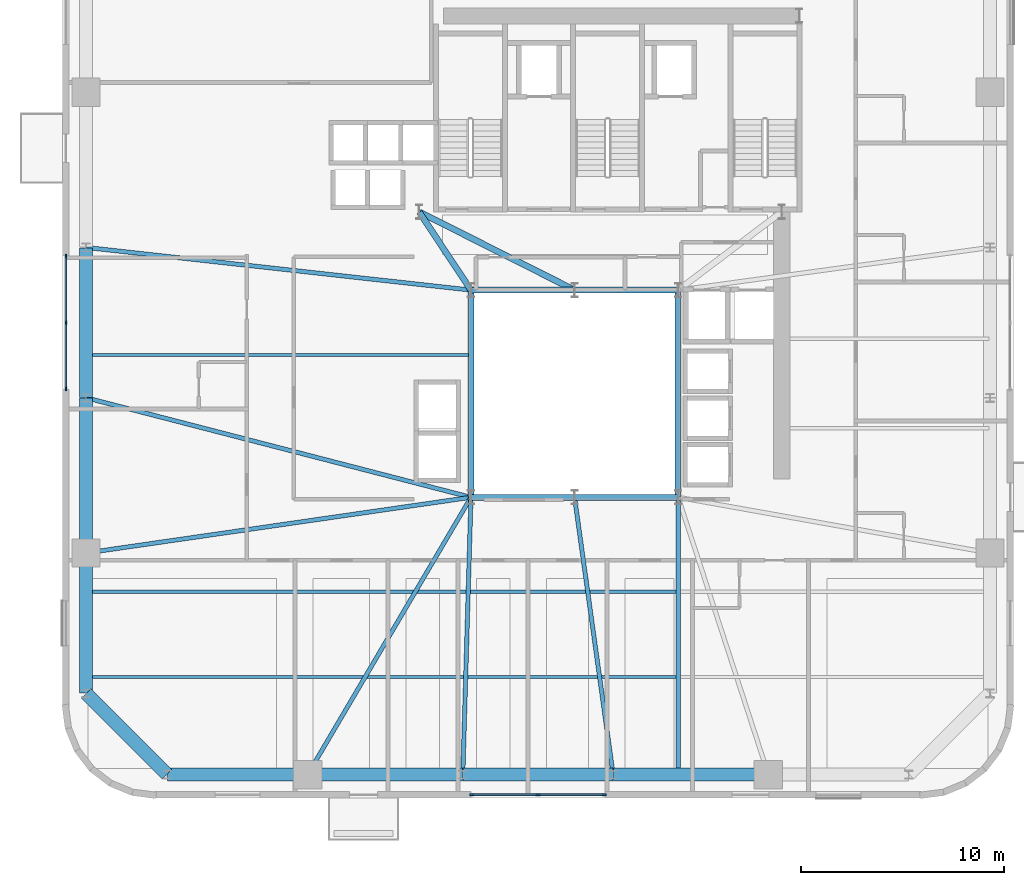
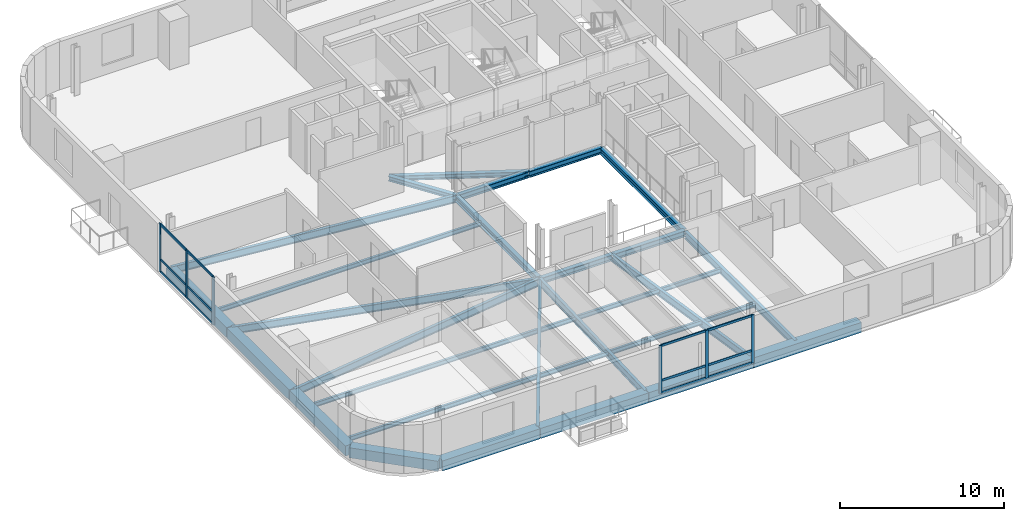
# One storey, part 3 of 14: 26 beams, 18 members, 2 elements without a shape of their own.
"""IFC4 building model written with IfcOpenShell, lengths in metres."""

from ifc_helpers import new_model, si_unit, direction, frame, origin, origin_2d, place, context, subcontext, project, spatial, rectangle, i_section, extrude, source, transform, mapped, material, material_profile, profile_set, type_object, element, aggregate, save


model = new_model("IFC4")

# Units and contexts
model_context = context("Model", 3, precision=1e-05, world=origin(), true_north=direction((0.0, 1.0)))
body_context = subcontext(model_context, "Body", "Model", "MODEL_VIEW")
ifc_project = project(units=[si_unit("LENGTHUNIT", "METRE"), si_unit("AREAUNIT", "SQUARE_METRE"), si_unit("VOLUMEUNIT", "CUBIC_METRE"), si_unit("PLANEANGLEUNIT", "RADIAN"), si_unit("MASSUNIT", "GRAM", prefix="KILO")], contexts=[model_context])

# Site, building, storey
site_placement = place(None, origin())
site = spatial("IfcSite", under=ifc_project, at=site_placement, CompositionType="ELEMENT")
building_placement = place(site_placement, origin())
building = spatial("IfcBuilding", under=site, at=building_placement, Name="Vardaveli Station Tower", CompositionType="ELEMENT")
storey_placement = place(building_placement, frame((0.0, 0.0, 177.199951171875)))
storey = spatial("IfcBuildingStorey", under=building, at=storey_placement, Name="L45", CompositionType="ELEMENT", Elevation=177.199951171875)

# Beams
ifc_material_1 = material(Name="Structural steel S355J2", Category="steel")
ifc_material_profile_1 = material_profile(ifc_material_1, i_section(OverallWidth=0.300048828125, OverallDepth=0.449951171875, WebThickness=0.013916015625, FlangeThickness=0.02587890625, FilletRadius=0.027099609375, at=origin_2d()), Name="HEB 450")
ifc_profile_set_1 = profile_set([ifc_material_profile_1], Name="Structural steel S355J2")
beam_type_1 = type_object("IfcBeamType", Name="BM-HEB450", PredefinedType="BEAM", material=ifc_profile_set_1)
shared_shape_1 = source(origin(), body_context, "Body", "SweptSolid", [
    extrude(i_section(OverallWidth=0.300048828125, OverallDepth=0.449951171875, WebThickness=0.013916015625, FlangeThickness=0.02587890625, FilletRadius=0.027099609375, at=origin_2d()), origin(), (0.0, 0.0, 1.0), 5.06005859375),
])
for number, where, z_axis, x_axis, name in (
    (1, (31.219970703125, 16.60009765625, -0.445068359375), (1.0, 0.0, 0.0), (0.0, 1.0, 0.0), "ABM-L45-01"),
    (2, (36.280029296875, 26.800048828125, -0.445068359375), (-1.0, 0.0, 0.0), (0.0, -1.0, 0.0), "ABM-L45-05"),
):
    element("IfcBeam", number, at=place(storey_placement, frame(where, z_axis=z_axis, x_axis=x_axis)), inside=storey, type_object=beam_type_1, Name=name, PredefinedType="BEAM", context=body_context, shape_type="MappedRepresentation", body=[
        mapped(shared_shape_1, transform((0.0, 0.0, 0.0), scale=1.0)),
    ])
shared_shape_2 = source(origin(), body_context, "Body", "SweptSolid", [
    extrude(i_section(OverallWidth=0.300048828125, OverallDepth=0.449951171875, WebThickness=0.013916015625, FlangeThickness=0.02587890625, FilletRadius=0.027099609375, at=origin_2d()), origin(), (0.0, 0.0, 1.0), 5.059814453125),
])
for number, where, z_axis, x_axis, name in (
    (3, (36.320068359375, 16.60009765625, -0.445068359375), (1.0, 0.0, 0.0), (0.0, 1.0, 0.0), "ABM-L45-02"),
    (4, (41.3798828125, 26.800048828125, -0.445068359375), (-1.0, 0.0, 0.0), (0.0, -1.0, 0.0), "ABM-L45-04"),
):
    element("IfcBeam", number, at=place(storey_placement, frame(where, z_axis=z_axis, x_axis=x_axis)), inside=storey, type_object=beam_type_1, Name=name, PredefinedType="BEAM", context=body_context, shape_type="MappedRepresentation", body=[
        mapped(shared_shape_2, transform((0.0, 0.0, 0.0), scale=1.0)),
    ])
shared_shape_3 = source(origin(), body_context, "Body", "SweptSolid", [
    extrude(i_section(OverallWidth=0.300048828125, OverallDepth=0.449951171875, WebThickness=0.013916015625, FlangeThickness=0.02587890625, FilletRadius=0.027099609375, at=origin_2d()), origin(), (0.0, 0.0, 1.0), 10.159912109375),
])
for number, where, z_axis, x_axis, name in (
    (5, (41.39990234375, 16.6201171875, -0.445068359375), (0.0, 1.0, 0.0), (-1.0, 0.0, 0.0), "ABM-L45-03"),
    (6, (31.199951171875, 26.780029296875, -0.445068359375), (0.0, -1.0, 0.0), (1.0, 0.0, 0.0), "ABM-L45-06"),
):
    element("IfcBeam", number, at=place(storey_placement, frame(where, z_axis=z_axis, x_axis=x_axis)), inside=storey, type_object=beam_type_1, Name=name, PredefinedType="BEAM", context=body_context, shape_type="MappedRepresentation", body=[
        mapped(shared_shape_3, transform((0.0, 0.0, 0.0), scale=1.0)),
    ])
ifc_material_profile_2 = material_profile(ifc_material_1, i_section(OverallWidth=0.300048828125, OverallDepth=0.360107421875, WebThickness=0.012451171875, FlangeThickness=0.0224609375, FilletRadius=0.027099609375, at=origin_2d()), Name="HEB 360")
ifc_profile_set_2 = profile_set([ifc_material_profile_2], Name="Structural steel S355J2")
beam_type_2 = type_object("IfcBeamType", Name="BM-HEB360", PredefinedType="BEAM", material=ifc_profile_set_2)
shared_shape_4 = source(origin(), body_context, "Body", "SweptSolid", [
    extrude(i_section(OverallWidth=0.300048828125, OverallDepth=0.360107421875, WebThickness=0.012451171875, FlangeThickness=0.0224609375, FilletRadius=0.027099609375, at=origin_2d()), origin(), (0.0, 0.0, 1.0), 4.577880859375),
])
beam_1_placement = place(storey_placement, frame((31.18896484375, 26.816650390625, -0.39990234375), z_axis=(-0.55218702139, 0.833720272879, 0.0), x_axis=(-0.833720272879, -0.55218702139, 0.0)))
element("IfcBeam", 7, at=beam_1_placement, inside=storey, type_object=beam_type_2, Name="CBM-L45-01", PredefinedType="BEAM", context=body_context, shape_type="MappedRepresentation", body=[
    mapped(shared_shape_4, transform((0.0, 0.0, 0.0), scale=1.0)),
])
shared_shape_5 = source(origin(), body_context, "Body", "SweptSolid", [
    extrude(i_section(OverallWidth=0.300048828125, OverallDepth=0.360107421875, WebThickness=0.012451171875, FlangeThickness=0.0224609375, FilletRadius=0.027099609375, at=origin_2d()), origin(), (0.0, 0.0, 1.0), 8.524169921875),
])
beam_2_placement = place(storey_placement, frame((28.66796875, 30.64111328125, -0.39990234375), z_axis=(0.893255584708, -0.449549174605, 0.0), x_axis=(0.449549174605, 0.893255584708, 0.0)))
element("IfcBeam", 8, at=beam_2_placement, inside=storey, type_object=beam_type_2, Name="CBM-L45-03", PredefinedType="BEAM", context=body_context, shape_type="MappedRepresentation", body=[
    mapped(shared_shape_5, transform((0.0, 0.0, 0.0), scale=1.0)),
])
ifc_material_2 = material(Name="Precast concrete C45/55", Category="concrete")
ifc_material_profile_3 = material_profile(ifc_material_2, rectangle(XDim=0.64990234375, YDim=0.75, at=origin_2d()), Name="LPB 650x750")
ifc_profile_set_3 = profile_set([ifc_material_profile_3], Name="Precast concrete C45/55")
beam_type_3 = type_object("IfcBeamType", Name="BM-LPB-750", PredefinedType="BEAM", material=ifc_profile_set_3)
shared_shape_6 = source(origin(), body_context, "Body", "SweptSolid", [
    extrude(rectangle(XDim=0.64990234375, YDim=0.75, at=origin_2d()), origin(), (0.0, 0.0, 1.0), 7.60009765625),
])
for number, where, z_axis, x_axis, name in (
    (9, (23.179931640625, 2.949951171875, -0.594970703125), (1.0, 0.0, 0.0), (0.0, 1.0, 0.0), "RBM-L45-01"),
    (10, (38.219970703125, 2.949951171875, -0.594970703125), (1.0, 0.0, 0.0), (0.0, 1.0, 0.0), "RBM-L45-03"),
    (11, (12.25, 21.47998046875, -0.594970703125), (0.0, -1.0, 0.0), (1.0, 0.0, 0.0), "RBM-L45-21"),
):
    element("IfcBeam", number, at=place(storey_placement, frame(where, z_axis=z_axis, x_axis=x_axis)), inside=storey, type_object=beam_type_3, Name=name, PredefinedType="BEAM", context=body_context, shape_type="MappedRepresentation", body=[
        mapped(shared_shape_6, transform((0.0, 0.0, 0.0), scale=1.0)),
    ])
shared_shape_7 = source(origin(), body_context, "Body", "SweptSolid", [
    extrude(rectangle(XDim=0.64990234375, YDim=0.75, at=origin_2d()), origin(), (0.0, 0.0, 1.0), 7.35986328125),
])
for number, where, z_axis, x_axis, name in (
    (12, (30.820068359375, 2.949951171875, -0.594970703125), (1.0, 0.0, 0.0), (0.0, 1.0, 0.0), "RBM-L45-02"),
    (13, (12.25, 28.8798828125, -0.594970703125), (0.0, -1.0, 0.0), (1.0, 0.0, 0.0), "RBM-L45-20"),
):
    element("IfcBeam", number, at=place(storey_placement, frame(where, z_axis=z_axis, x_axis=x_axis)), inside=storey, type_object=beam_type_3, Name=name, PredefinedType="BEAM", context=body_context, shape_type="MappedRepresentation", body=[
        mapped(shared_shape_7, transform((0.0, 0.0, 0.0), scale=1.0)),
    ])
shared_shape_8 = source(origin(), body_context, "Body", "SweptSolid", [
    extrude(rectangle(XDim=0.64990234375, YDim=0.75, at=origin_2d()), origin(), (0.0, 0.0, 1.0), 6.869873046875),
])
beam_3_placement = place(storey_placement, frame((16.27001953125, 2.949951171875, -0.594970703125), z_axis=(1.0, 0.0, 0.0), x_axis=(0.0, 1.0, 0.0)))
element("IfcBeam", 14, at=beam_3_placement, inside=storey, type_object=beam_type_3, Name="RBM-L45-24", PredefinedType="BEAM", context=body_context, shape_type="MappedRepresentation", body=[
    mapped(shared_shape_8, transform((0.0, 0.0, 0.0), scale=1.0)),
])
shared_shape_9 = source(origin(), body_context, "Body", "SweptSolid", [
    extrude(rectangle(XDim=0.64990234375, YDim=0.75, at=origin_2d()), origin(), (0.0, 0.0, 1.0), 5.61669921875),
])
beam_4_placement = place(storey_placement, frame((12.26416015625, 6.935791015625, -0.594970703125), z_axis=(0.707106781187, -0.707106781187, 0.0), x_axis=(0.707106781187, 0.707106781187, 0.0)))
element("IfcBeam", 15, at=beam_4_placement, inside=storey, type_object=beam_type_3, Name="RBM-L45-23", PredefinedType="BEAM", context=body_context, shape_type="MappedRepresentation", body=[
    mapped(shared_shape_9, transform((0.0, 0.0, 0.0), scale=1.0)),
])
shared_shape_10 = source(origin(), body_context, "Body", "SweptSolid", [
    extrude(rectangle(XDim=0.64990234375, YDim=0.75, at=origin_2d()), origin(), (0.0, 0.0, 1.0), 6.8701171875),
])
beam_5_placement = place(storey_placement, frame((12.25, 13.840087890625, -0.594970703125), z_axis=(0.0, -1.0, 0.0), x_axis=(1.0, 0.0, 0.0)))
element("IfcBeam", 16, at=beam_5_placement, inside=storey, type_object=beam_type_3, Name="RBM-L45-22", PredefinedType="BEAM", context=body_context, shape_type="MappedRepresentation", body=[
    mapped(shared_shape_10, transform((0.0, 0.0, 0.0), scale=1.0)),
])
ifc_material_profile_4 = material_profile(ifc_material_1, i_section(OverallWidth=0.2099609375, OverallDepth=0.550048828125, WebThickness=0.010986328125, FlangeThickness=0.01708984375, FilletRadius=0.02392578125, at=origin_2d()), Name="IPE 550")
ifc_profile_set_4 = profile_set([ifc_material_profile_4], Name="Structural steel S355J2")
beam_type_4 = type_object("IfcBeamType", Name="BM-IPE550", PredefinedType="BEAM", material=ifc_profile_set_4)
shared_shape_11 = source(origin(), body_context, "Body", "SweptSolid", [
    extrude(i_section(OverallWidth=0.2099609375, OverallDepth=0.550048828125, WebThickness=0.010986328125, FlangeThickness=0.01708984375, FilletRadius=0.02392578125, at=origin_2d()), origin(), (0.0, 0.0, 1.0), 13.469970703125),
])
beam_6_placement = place(storey_placement, frame((41.39990234375, 2.989990234375, -0.494873046875), z_axis=(0.0, 1.0, 0.0), x_axis=(-1.0, 0.0, 0.0)))
element("IfcBeam", 17, at=beam_6_placement, inside=storey, type_object=beam_type_4, Name="NSM-L45-S2", PredefinedType="BEAM", context=body_context, shape_type="MappedRepresentation", body=[
    mapped(shared_shape_11, transform((0.0, 0.0, 0.0), scale=1.0)),
])
ifc_material_profile_5 = material_profile(ifc_material_1, i_section(OverallWidth=0.159912109375, OverallDepth=0.330078125, WebThickness=0.007568359375, FlangeThickness=0.011474609375, FilletRadius=0.01806640625, at=origin_2d()), Name="IPE 330")
ifc_profile_set_5 = profile_set([ifc_material_profile_5], Name="Structural steel S355J2")
beam_type_5 = type_object("IfcBeamType", Name="BM-IPE330", PredefinedType="JOIST", material=ifc_profile_set_5)
shared_shape_12 = source(origin(), body_context, "Body", "SweptSolid", [
    extrude(i_section(OverallWidth=0.159912109375, OverallDepth=0.330078125, WebThickness=0.007568359375, FlangeThickness=0.011474609375, FilletRadius=0.01806640625, at=origin_2d()), origin(), (0.0, 0.0, 1.0), 28.998046875),
])
for number, where, z_axis, x_axis, name in (
    (18, (12.2900390625, 7.75, -0.385009765625), (1.0, 0.0, 0.0), (0.0, 1.0, 0.0), "SJ-L45-S01"),
    (19, (12.2900390625, 11.949951171875, -0.385009765625), (1.0, 0.0, 0.0), (0.0, 1.0, 0.0), "SJ-L45-S03"),
):
    element("IfcBeam", number, at=place(storey_placement, frame(where, z_axis=z_axis, x_axis=x_axis)), inside=storey, type_object=beam_type_5, Name=name, PredefinedType="JOIST", context=body_context, shape_type="MappedRepresentation", body=[
        mapped(shared_shape_12, transform((0.0, 0.0, 0.0), scale=1.0)),
    ])
shared_shape_13 = source(origin(), body_context, "Body", "SweptSolid", [
    extrude(i_section(OverallWidth=0.159912109375, OverallDepth=0.330078125, WebThickness=0.007568359375, FlangeThickness=0.011474609375, FilletRadius=0.01806640625, at=origin_2d()), origin(), (0.0, 0.0, 1.0), 18.7978515625),
])
beam_7_placement = place(storey_placement, frame((12.2900390625, 23.60009765625, -0.385009765625), z_axis=(1.0, 0.0, 0.0), x_axis=(0.0, 1.0, 0.0)))
element("IfcBeam", 20, at=beam_7_placement, inside=storey, type_object=beam_type_5, Name="SJ-L45-W06", PredefinedType="JOIST", context=body_context, shape_type="MappedRepresentation", body=[
    mapped(shared_shape_13, transform((0.0, 0.0, 0.0), scale=1.0)),
])
shared_shape_14 = source(origin(), body_context, "Body", "SweptSolid", [
    extrude(i_section(OverallWidth=0.2099609375, OverallDepth=0.550048828125, WebThickness=0.010986328125, FlangeThickness=0.01708984375, FilletRadius=0.02392578125, at=origin_2d()), origin(), (0.0, 0.0, 1.0), 15.8017578125),
])
beam_8_placement = place(storey_placement, frame((23.170166015625, 2.96728515625, -0.494873046875), z_axis=(0.507521713546, 0.86163896748, 0.0), x_axis=(-0.86163896748, 0.507521713546, 0.0)))
element("IfcBeam", 21, at=beam_8_placement, inside=storey, type_object=beam_type_4, Name="GBM-L45-01", PredefinedType="BEAM", context=body_context, shape_type="MappedRepresentation", body=[
    mapped(shared_shape_14, transform((0.0, 0.0, 0.0), scale=1.0)),
])
shared_shape_15 = source(origin(), body_context, "Body", "SweptSolid", [
    extrude(i_section(OverallWidth=0.2099609375, OverallDepth=0.550048828125, WebThickness=0.010986328125, FlangeThickness=0.01708984375, FilletRadius=0.02392578125, at=origin_2d()), origin(), (0.0, 0.0, 1.0), 13.615966796875),
])
beam_9_placement = place(storey_placement, frame((30.800537109375, 2.969970703125, -0.494873046875), z_axis=(0.029298411379, 0.9995707094, 0.0), x_axis=(-0.9995707094, 0.029298411379, 0.0)))
element("IfcBeam", 22, at=beam_9_placement, inside=storey, type_object=beam_type_4, Name="GBM-L45-02", PredefinedType="BEAM", context=body_context, shape_type="MappedRepresentation", body=[
    mapped(shared_shape_15, transform((0.0, 0.0, 0.0), scale=1.0)),
])
shared_shape_16 = source(origin(), body_context, "Body", "SweptSolid", [
    extrude(i_section(OverallWidth=0.2099609375, OverallDepth=0.550048828125, WebThickness=0.010986328125, FlangeThickness=0.01708984375, FilletRadius=0.02392578125, at=origin_2d()), origin(), (0.0, 0.0, 1.0), 13.741455078125),
])
beam_10_placement = place(storey_placement, frame((38.197265625, 2.9697265625, -0.494873046875), z_axis=(-0.137868554024, 0.990450534762, 0.0), x_axis=(-0.990450534762, -0.137868554024, 0.0)))
element("IfcBeam", 23, at=beam_10_placement, inside=storey, type_object=beam_type_4, Name="GBM-L45-03", PredefinedType="BEAM", context=body_context, shape_type="MappedRepresentation", body=[
    mapped(shared_shape_16, transform((0.0, 0.0, 0.0), scale=1.0)),
])
shared_shape_17 = source(origin(), body_context, "Body", "SweptSolid", [
    extrude(i_section(OverallWidth=0.2099609375, OverallDepth=0.550048828125, WebThickness=0.010986328125, FlangeThickness=0.01708984375, FilletRadius=0.02392578125, at=origin_2d()), origin(), (0.0, 0.0, 1.0), 19.026123046875),
])
beam_11_placement = place(storey_placement, frame((12.269775390625, 28.897705078125, -0.494873046875), z_axis=(0.993916552721, -0.110135762707, 0.0), x_axis=(0.110135762707, 0.993916552721, 0.0)))
element("IfcBeam", 24, at=beam_11_placement, inside=storey, type_object=beam_type_4, Name="GBM-L45-08", PredefinedType="BEAM", context=body_context, shape_type="MappedRepresentation", body=[
    mapped(shared_shape_17, transform((0.0, 0.0, 0.0), scale=1.0)),
])
shared_shape_18 = source(origin(), body_context, "Body", "SweptSolid", [
    extrude(i_section(OverallWidth=0.2099609375, OverallDepth=0.550048828125, WebThickness=0.010986328125, FlangeThickness=0.01708984375, FilletRadius=0.02392578125, at=origin_2d()), origin(), (0.0, 0.0, 1.0), 19.533447265625),
])
beam_12_placement = place(storey_placement, frame((12.269287109375, 21.494873046875, -0.494873046875), z_axis=(0.968159081778, -0.250335759272, 0.0), x_axis=(0.250335759272, 0.968159081778, 0.0)))
element("IfcBeam", 25, at=beam_12_placement, inside=storey, type_object=beam_type_4, Name="GBM-L45-09", PredefinedType="BEAM", context=body_context, shape_type="MappedRepresentation", body=[
    mapped(shared_shape_18, transform((0.0, 0.0, 0.0), scale=1.0)),
])
shared_shape_19 = source(origin(), body_context, "Body", "SweptSolid", [
    extrude(i_section(OverallWidth=0.2099609375, OverallDepth=0.550048828125, WebThickness=0.010986328125, FlangeThickness=0.01708984375, FilletRadius=0.02392578125, at=origin_2d()), origin(), (0.0, 0.0, 1.0), 19.107177734375),
])
beam_13_placement = place(storey_placement, frame((12.269775390625, 13.86279296875, -0.494873046875), z_axis=(0.989707072711, 0.143108036903, 0.0), x_axis=(-0.143108036903, 0.989707072711, 0.0)))
element("IfcBeam", 26, at=beam_13_placement, inside=storey, type_object=beam_type_4, Name="GBM-L45-10", PredefinedType="BEAM", context=body_context, shape_type="MappedRepresentation", body=[
    mapped(shared_shape_19, transform((0.0, 0.0, 0.0), scale=1.0)),
])

# Curtain wall, members
ifc_material_3 = material(Name="Travertine stone and solar-control glass", Category="masonry")
curtain_wall_type = type_object("IfcCurtainWallType", Name="CW-SYS-5", PredefinedType="NOTDEFINED", material=ifc_material_3)
curtain_wall_1_placement = place(storey_placement, origin())
curtain_wall_1 = element("IfcCurtainWall", 27, at=curtain_wall_1_placement, inside=storey, type_object=curtain_wall_type, Name="CW-L45-S", PredefinedType="NOTDEFINED")
ifc_material_4 = material(Name="Anodised aluminium alloy 6063-T6", Category="aluminium")
ifc_material_profile_6 = material_profile(ifc_material_4, rectangle(XDim=0.080078125, YDim=0.205078125, at=origin_2d()), Name="CWM 80x205")
ifc_profile_set_6 = profile_set([ifc_material_profile_6], Name="Anodised aluminium alloy 6063-T6")
member_type_1 = type_object("IfcMemberType", Name="CW-SYS-5-MULL", PredefinedType="MULLION", material=ifc_profile_set_6)
shared_shape_20 = source(origin(), body_context, "Body", "SweptSolid", [
    extrude(rectangle(XDim=0.080078125, YDim=0.205078125, at=origin_2d()), origin(), (0.0, 0.0, 1.0), 3.580078125),
])
member_1_placement = place(storey_placement, frame((31.239990234375, 1.9599609375, 0.0), z_axis=(0.0, 0.0, 1.0), x_axis=(0.0, 1.0, 0.0)))
member_1 = element("IfcMember", 28, at=member_1_placement, type_object=member_type_1, Name="CW-5 mullion 1", PredefinedType="MULLION", context=body_context, shape_type="MappedRepresentation", body=[
    mapped(shared_shape_20, transform((0.0, 0.0, 0.0), scale=1.0)),
])
member_2_placement = place(storey_placement, frame((34.5, 1.9599609375, 0.0), z_axis=(0.0, 0.0, 1.0), x_axis=(0.0, 1.0, 0.0)))
member_2 = element("IfcMember", 29, at=member_2_placement, type_object=member_type_1, Name="CW-5 mullion 2", PredefinedType="MULLION", context=body_context, shape_type="MappedRepresentation", body=[
    mapped(shared_shape_20, transform((0.0, 0.0, 0.0), scale=1.0)),
])
member_3_placement = place(storey_placement, frame((37.760009765625, 1.9599609375, 0.0), z_axis=(0.0, 0.0, 1.0), x_axis=(0.0, 1.0, 0.0)))
member_3 = element("IfcMember", 30, at=member_3_placement, type_object=member_type_1, Name="CW-5 mullion 3", PredefinedType="MULLION", context=body_context, shape_type="MappedRepresentation", body=[
    mapped(shared_shape_20, transform((0.0, 0.0, 0.0), scale=1.0)),
])

curtain_wall_2_placement = place(storey_placement, origin())
curtain_wall_2 = element("IfcCurtainWall", 31, at=curtain_wall_2_placement, inside=storey, type_object=curtain_wall_type, Name="CW-L45-W", PredefinedType="NOTDEFINED")
member_4_placement = place(storey_placement, frame((11.260009765625, 28.4599609375, 0.0), z_axis=(0.0, 0.0, 1.0), x_axis=(1.0, 0.0, 0.0)))
member_4 = element("IfcMember", 32, at=member_4_placement, type_object=member_type_1, Name="CW-5 mullion 1", PredefinedType="MULLION", context=body_context, shape_type="MappedRepresentation", body=[
    mapped(shared_shape_20, transform((0.0, 0.0, 0.0), scale=1.0)),
])
member_5_placement = place(storey_placement, frame((11.260009765625, 25.199951171875, 0.0), z_axis=(0.0, 0.0, 1.0), x_axis=(1.0, 0.0, 0.0)))
member_5 = element("IfcMember", 33, at=member_5_placement, type_object=member_type_1, Name="CW-5 mullion 2", PredefinedType="MULLION", context=body_context, shape_type="MappedRepresentation", body=[
    mapped(shared_shape_20, transform((0.0, 0.0, 0.0), scale=1.0)),
])
member_6_placement = place(storey_placement, frame((11.260009765625, 21.93994140625, 0.0), z_axis=(0.0, 0.0, 1.0), x_axis=(1.0, 0.0, 0.0)))
member_6 = element("IfcMember", 34, at=member_6_placement, type_object=member_type_1, Name="CW-5 mullion 3", PredefinedType="MULLION", context=body_context, shape_type="MappedRepresentation", body=[
    mapped(shared_shape_20, transform((0.0, 0.0, 0.0), scale=1.0)),
])

# Member
ifc_material_profile_7 = material_profile(ifc_material_4, rectangle(XDim=0.080078125, YDim=0.1650390625, at=origin_2d()), Name="CWT 80x165")
ifc_profile_set_7 = profile_set([ifc_material_profile_7], Name="Anodised aluminium alloy 6063-T6")
member_type_2 = type_object("IfcMemberType", Name="CW-SYS-5-TRAN", PredefinedType="NOTDEFINED", material=ifc_profile_set_7)
shared_shape_21 = source(origin(), body_context, "Body", "SweptSolid", [
    extrude(rectangle(XDim=0.080078125, YDim=0.1650390625, at=origin_2d()), origin(), (0.0, 0.0, 1.0), 3.179931640625),
])
member_7_placement = place(storey_placement, frame((31.280029296875, 1.9599609375, 0.0400390625), z_axis=(1.0, 0.0, 0.0), x_axis=(0.0, 1.0, 0.0)))
member_7 = element("IfcMember", 35, at=member_7_placement, type_object=member_type_2, Name="CW-5 transom 1.1", ObjectType="TRANSOM", PredefinedType="USERDEFINED", context=body_context, shape_type="MappedRepresentation", body=[
    mapped(shared_shape_21, transform((0.0, 0.0, 0.0), scale=1.0)),
])

member_8_placement = place(storey_placement, frame((31.280029296875, 1.9599609375, 0.949951171875), z_axis=(1.0, 0.0, 0.0), x_axis=(0.0, 1.0, 0.0)))
member_8 = element("IfcMember", 36, at=member_8_placement, type_object=member_type_2, Name="CW-5 transom 1.2", ObjectType="TRANSOM", PredefinedType="USERDEFINED", context=body_context, shape_type="MappedRepresentation", body=[
    mapped(shared_shape_21, transform((0.0, 0.0, 0.0), scale=1.0)),
])

member_9_placement = place(storey_placement, frame((31.280029296875, 1.9599609375, 3.5400390625), z_axis=(1.0, 0.0, 0.0), x_axis=(0.0, 1.0, 0.0)))
member_9 = element("IfcMember", 37, at=member_9_placement, type_object=member_type_2, Name="CW-5 transom 1.3", ObjectType="TRANSOM", PredefinedType="USERDEFINED", context=body_context, shape_type="MappedRepresentation", body=[
    mapped(shared_shape_21, transform((0.0, 0.0, 0.0), scale=1.0)),
])

member_10_placement = place(storey_placement, frame((34.5400390625, 1.9599609375, 0.0400390625), z_axis=(1.0, 0.0, 0.0), x_axis=(0.0, 1.0, 0.0)))
member_10 = element("IfcMember", 38, at=member_10_placement, type_object=member_type_2, Name="CW-5 transom 2.1", ObjectType="TRANSOM", PredefinedType="USERDEFINED", context=body_context, shape_type="MappedRepresentation", body=[
    mapped(shared_shape_21, transform((0.0, 0.0, 0.0), scale=1.0)),
])

member_11_placement = place(storey_placement, frame((34.5400390625, 1.9599609375, 0.949951171875), z_axis=(1.0, 0.0, 0.0), x_axis=(0.0, 1.0, 0.0)))
member_11 = element("IfcMember", 39, at=member_11_placement, type_object=member_type_2, Name="CW-5 transom 2.2", ObjectType="TRANSOM", PredefinedType="USERDEFINED", context=body_context, shape_type="MappedRepresentation", body=[
    mapped(shared_shape_21, transform((0.0, 0.0, 0.0), scale=1.0)),
])

member_12_placement = place(storey_placement, frame((34.5400390625, 1.9599609375, 3.5400390625), z_axis=(1.0, 0.0, 0.0), x_axis=(0.0, 1.0, 0.0)))
member_12 = element("IfcMember", 40, at=member_12_placement, type_object=member_type_2, Name="CW-5 transom 2.3", ObjectType="TRANSOM", PredefinedType="USERDEFINED", context=body_context, shape_type="MappedRepresentation", body=[
    mapped(shared_shape_21, transform((0.0, 0.0, 0.0), scale=1.0)),
])

aggregate(curtain_wall_1, [member_1, member_2, member_3, member_7, member_8, member_9, member_10, member_11, member_12])

member_13_placement = place(storey_placement, frame((11.260009765625, 28.419921875, 0.0400390625), z_axis=(0.0, -1.0, 0.0), x_axis=(1.0, 0.0, 0.0)))
member_13 = element("IfcMember", 41, at=member_13_placement, type_object=member_type_2, Name="CW-5 transom 1.1", ObjectType="TRANSOM", PredefinedType="USERDEFINED", context=body_context, shape_type="MappedRepresentation", body=[
    mapped(shared_shape_21, transform((0.0, 0.0, 0.0), scale=1.0)),
])

member_14_placement = place(storey_placement, frame((11.260009765625, 28.419921875, 0.949951171875), z_axis=(0.0, -1.0, 0.0), x_axis=(1.0, 0.0, 0.0)))
member_14 = element("IfcMember", 42, at=member_14_placement, type_object=member_type_2, Name="CW-5 transom 1.2", ObjectType="TRANSOM", PredefinedType="USERDEFINED", context=body_context, shape_type="MappedRepresentation", body=[
    mapped(shared_shape_21, transform((0.0, 0.0, 0.0), scale=1.0)),
])

member_15_placement = place(storey_placement, frame((11.260009765625, 28.419921875, 3.5400390625), z_axis=(0.0, -1.0, 0.0), x_axis=(1.0, 0.0, 0.0)))
member_15 = element("IfcMember", 43, at=member_15_placement, type_object=member_type_2, Name="CW-5 transom 1.3", ObjectType="TRANSOM", PredefinedType="USERDEFINED", context=body_context, shape_type="MappedRepresentation", body=[
    mapped(shared_shape_21, transform((0.0, 0.0, 0.0), scale=1.0)),
])

member_16_placement = place(storey_placement, frame((11.260009765625, 25.159912109375, 0.0400390625), z_axis=(0.0, -1.0, 0.0), x_axis=(1.0, 0.0, 0.0)))
member_16 = element("IfcMember", 44, at=member_16_placement, type_object=member_type_2, Name="CW-5 transom 2.1", ObjectType="TRANSOM", PredefinedType="USERDEFINED", context=body_context, shape_type="MappedRepresentation", body=[
    mapped(shared_shape_21, transform((0.0, 0.0, 0.0), scale=1.0)),
])

member_17_placement = place(storey_placement, frame((11.260009765625, 25.159912109375, 0.949951171875), z_axis=(0.0, -1.0, 0.0), x_axis=(1.0, 0.0, 0.0)))
member_17 = element("IfcMember", 45, at=member_17_placement, type_object=member_type_2, Name="CW-5 transom 2.2", ObjectType="TRANSOM", PredefinedType="USERDEFINED", context=body_context, shape_type="MappedRepresentation", body=[
    mapped(shared_shape_21, transform((0.0, 0.0, 0.0), scale=1.0)),
])

member_18_placement = place(storey_placement, frame((11.260009765625, 25.159912109375, 3.5400390625), z_axis=(0.0, -1.0, 0.0), x_axis=(1.0, 0.0, 0.0)))
member_18 = element("IfcMember", 46, at=member_18_placement, type_object=member_type_2, Name="CW-5 transom 2.3", ObjectType="TRANSOM", PredefinedType="USERDEFINED", context=body_context, shape_type="MappedRepresentation", body=[
    mapped(shared_shape_21, transform((0.0, 0.0, 0.0), scale=1.0)),
])

aggregate(curtain_wall_2, [member_4, member_5, member_6, member_13, member_14, member_15, member_16, member_17, member_18])

save(model, "model.ifc")
